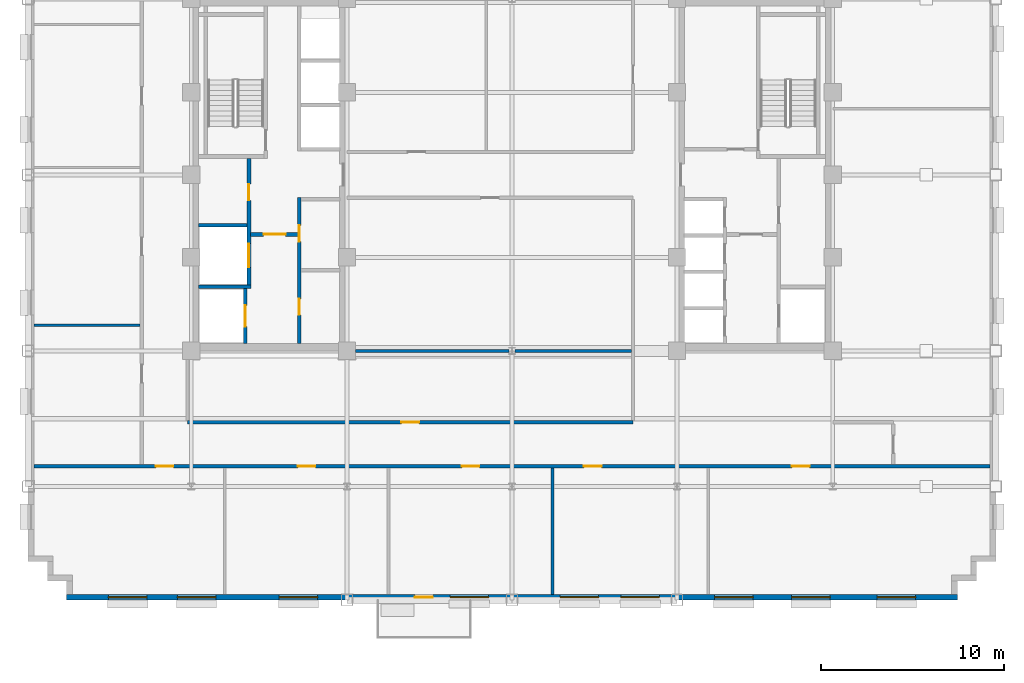
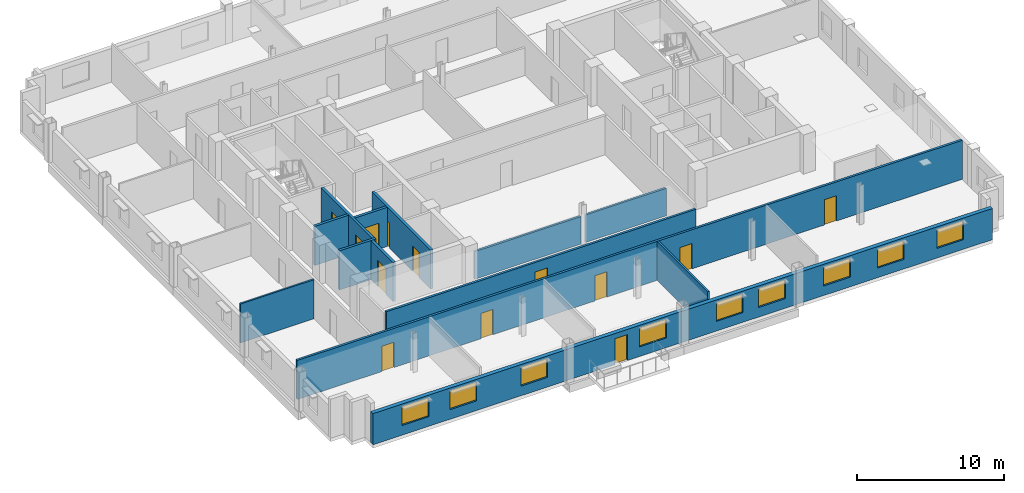
# One storey, part 6 of 14: 13 doors, 13 walls, 9 windows, 22 openings.
"""IFC4 building model written with IfcOpenShell, lengths in metres."""

from ifc_helpers import new_model, si_unit, direction, frame, frame_2d, origin, place, context, subcontext, project, spatial, rectangle, extrude, source, transform, mapped, material, layer, layer_set, type_object, type_shapes, element, fill, save


model = new_model("IFC4")

# Units and contexts
model_context = context("Model", 3, precision=1e-05, world=origin(), true_north=direction((0.0, 1.0)))
body_context = subcontext(model_context, "Body", "Model", "MODEL_VIEW")
ifc_project = project(units=[si_unit("LENGTHUNIT", "METRE"), si_unit("AREAUNIT", "SQUARE_METRE"), si_unit("VOLUMEUNIT", "CUBIC_METRE"), si_unit("PLANEANGLEUNIT", "RADIAN"), si_unit("MASSUNIT", "GRAM", prefix="KILO")], contexts=[model_context])

# Site, building, storey
site_placement = place(None, origin())
site = spatial("IfcSite", under=ifc_project, at=site_placement, CompositionType="ELEMENT")
building_placement = place(site_placement, origin())
building = spatial("IfcBuilding", under=site, at=building_placement, Name="Nuvemarco Arch Tower", CompositionType="ELEMENT")
storey_placement = place(building_placement, frame((0.0, 0.0, 164.0)))
storey = spatial("IfcBuildingStorey", under=building, at=storey_placement, Name="L43", CompositionType="ELEMENT", Elevation=164.0)

# Wall, openings, door, windows
ifc_material_1 = material(Name="Precast concrete C45/55", Category="concrete")
ifc_layer_1 = layer(ifc_material_1, 0.320068359375, Name="EW-MID-320")
ifc_layer_set_1 = layer_set([ifc_layer_1], Name="Precast concrete C45/55")
wall_type_1 = type_object("IfcWallType", Name="EW-MID-320", PredefinedType="STANDARD", material=ifc_layer_set_1)
wall_1_placement = place(storey_placement, frame((-24.300048828125, -23.0400390625, 0.0), z_axis=(0.0, 0.0, 1.0), x_axis=(1.0, 0.0, 0.0)))
wall_1 = element("IfcWall", 1, at=wall_1_placement, inside=storey, type_object=wall_type_1, Name="L43 exterior precast facade wall 1", PredefinedType="STANDARD", context=body_context, shape_type="SweptSolid", body=[
    extrude(rectangle(XDim=48.60009765625, YDim=0.320068359375, at=frame_2d((24.300048828125, 0.0))), origin(), (0.0, 0.0, 1.0), 2.5849609375),
])
opening_1_placement = place(wall_1_placement, frame((19.97998046875, 0.0, 0.0), z_axis=(0.0, 0.0, 1.0), x_axis=(-1.0, 0.0, 0.0)))
opening_1 = element("IfcOpeningElement", 2, at=opening_1_placement, cuts=wall_1, Name="Opening ED-6", PredefinedType="OPENING", context=body_context, shape_type="SweptSolid", body=[
    extrude(rectangle(XDim=0.97998046875, YDim=2.14990234375, at=frame_2d((0.489990234375, 1.074951171875))), frame((0.0, 0.169921875, 0.0), z_axis=(0.0, -1.0, 0.0), x_axis=(1.0, 0.0, 0.0)), (0.0, 0.0, 1.0), 0.340087890625),
])
opening_2_placement = place(wall_1_placement, frame((2.280029296875, 0.0, 0.800048828125)))
opening_2 = element("IfcOpeningElement", 3, at=opening_2_placement, cuts=wall_1, Name="Opening WN-5", PredefinedType="OPENING", context=body_context, shape_type="SweptSolid", body=[
    extrude(rectangle(XDim=2.10009765625, YDim=1.56005859375, at=frame_2d((1.050048828125, 0.780029296875))), frame((0.0, 0.169921875, 0.0), z_axis=(0.0, -1.0, 0.0), x_axis=(1.0, 0.0, 0.0)), (0.0, 0.0, 1.0), 0.340087890625),
])
opening_3_placement = place(wall_1_placement, frame((6.0400390625, 0.0, 0.800048828125)))
opening_3 = element("IfcOpeningElement", 4, at=opening_3_placement, cuts=wall_1, Name="Opening WN-5", PredefinedType="OPENING", context=body_context, shape_type="SweptSolid", body=[
    extrude(rectangle(XDim=2.10009765625, YDim=1.56005859375, at=frame_2d((1.050048828125, 0.780029296875))), frame((0.0, 0.169921875, 0.0), z_axis=(0.0, -1.0, 0.0), x_axis=(1.0, 0.0, 0.0)), (0.0, 0.0, 1.0), 0.340087890625),
])
opening_4_placement = place(wall_1_placement, frame((11.60009765625, 0.0, 0.800048828125)))
opening_4 = element("IfcOpeningElement", 5, at=opening_4_placement, cuts=wall_1, Name="Opening WN-5", PredefinedType="OPENING", context=body_context, shape_type="SweptSolid", body=[
    extrude(rectangle(XDim=2.10009765625, YDim=1.56005859375, at=frame_2d((1.050048828125, 0.780029296875))), frame((0.0, 0.169921875, 0.0), z_axis=(0.0, -1.0, 0.0), x_axis=(1.0, 0.0, 0.0)), (0.0, 0.0, 1.0), 0.340087890625),
])
opening_5_placement = place(wall_1_placement, frame((20.919921875, 0.0, 0.800048828125)))
opening_5 = element("IfcOpeningElement", 6, at=opening_5_placement, cuts=wall_1, Name="Opening WN-5", PredefinedType="OPENING", context=body_context, shape_type="SweptSolid", body=[
    extrude(rectangle(XDim=2.10009765625, YDim=1.56005859375, at=frame_2d((1.050048828125, 0.780029296875))), frame((0.0, 0.169921875, 0.0), z_axis=(0.0, -1.0, 0.0), x_axis=(1.0, 0.0, 0.0)), (0.0, 0.0, 1.0), 0.340087890625),
])
opening_6_placement = place(wall_1_placement, frame((26.929931640625, 0.0, 0.800048828125)))
opening_6 = element("IfcOpeningElement", 7, at=opening_6_placement, cuts=wall_1, Name="Opening WN-5", PredefinedType="OPENING", context=body_context, shape_type="SweptSolid", body=[
    extrude(rectangle(XDim=2.10009765625, YDim=1.56005859375, at=frame_2d((1.050048828125, 0.780029296875))), frame((0.0, 0.169921875, 0.0), z_axis=(0.0, -1.0, 0.0), x_axis=(1.0, 0.0, 0.0)), (0.0, 0.0, 1.0), 0.340087890625),
])
opening_7_placement = place(wall_1_placement, frame((30.239990234375, 0.0, 0.800048828125)))
opening_7 = element("IfcOpeningElement", 8, at=opening_7_placement, cuts=wall_1, Name="Opening WN-5", PredefinedType="OPENING", context=body_context, shape_type="SweptSolid", body=[
    extrude(rectangle(XDim=2.10009765625, YDim=1.56005859375, at=frame_2d((1.050048828125, 0.780029296875))), frame((0.0, 0.169921875, 0.0), z_axis=(0.0, -1.0, 0.0), x_axis=(1.0, 0.0, 0.0)), (0.0, 0.0, 1.0), 0.340087890625),
])
opening_8_placement = place(wall_1_placement, frame((35.35009765625, 0.0, 0.800048828125)))
opening_8 = element("IfcOpeningElement", 9, at=opening_8_placement, cuts=wall_1, Name="Opening WN-5", PredefinedType="OPENING", context=body_context, shape_type="SweptSolid", body=[
    extrude(rectangle(XDim=2.10009765625, YDim=1.56005859375, at=frame_2d((1.050048828125, 0.780029296875))), frame((0.0, 0.169921875, 0.0), z_axis=(0.0, -1.0, 0.0), x_axis=(1.0, 0.0, 0.0)), (0.0, 0.0, 1.0), 0.340087890625),
])
opening_9_placement = place(wall_1_placement, frame((39.56005859375, 0.0, 0.800048828125)))
opening_9 = element("IfcOpeningElement", 10, at=opening_9_placement, cuts=wall_1, Name="Opening WN-5", PredefinedType="OPENING", context=body_context, shape_type="SweptSolid", body=[
    extrude(rectangle(XDim=2.10009765625, YDim=1.56005859375, at=frame_2d((1.050048828125, 0.780029296875))), frame((0.0, 0.169921875, 0.0), z_axis=(0.0, -1.0, 0.0), x_axis=(1.0, 0.0, 0.0)), (0.0, 0.0, 1.0), 0.340087890625),
])
opening_10_placement = place(wall_1_placement, frame((44.219970703125, 0.0, 0.800048828125)))
opening_10 = element("IfcOpeningElement", 11, at=opening_10_placement, cuts=wall_1, Name="Opening WN-5", PredefinedType="OPENING", context=body_context, shape_type="SweptSolid", body=[
    extrude(rectangle(XDim=2.10009765625, YDim=1.56005859375, at=frame_2d((1.050048828125, 0.780029296875))), frame((0.0, 0.169921875, 0.0), z_axis=(0.0, -1.0, 0.0), x_axis=(1.0, 0.0, 0.0)), (0.0, 0.0, 1.0), 0.340087890625),
])
ifc_material_2 = material(Name="Anodised bronze and laminated glass", Category="glass")
door_type_1 = type_object("IfcDoorType", Name="DR-EXT-BALC", OperationType="NOTDEFINED", PredefinedType="DOOR", material=ifc_material_2)
shared_shape_1 = source(origin(), body_context, "Body", "SweptSolid", [
    extrude(rectangle(XDim=0.97998046875, YDim=2.14990234375, at=frame_2d((0.489990234375, 1.074951171875))), frame((0.0, 0.02490234375, 0.0), z_axis=(0.0, -1.0, 0.0), x_axis=(1.0, 0.0, 0.0)), (0.0, 0.0, 1.0), 0.050048828125),
])
type_shapes(door_type_1, [shared_shape_1])
door_1_placement = place(opening_1_placement, origin())
door_1 = element("IfcDoor", 12, at=door_1_placement, inside=storey, type_object=door_type_1, Name="L43 tree balcony access door", OperationType="SINGLE_SWING_RIGHT", OverallHeight=2.14990234375, OverallWidth=0.97998046875, PredefinedType="DOOR", context=body_context, shape_type="MappedRepresentation", body=[
    mapped(shared_shape_1, transform((0.0, 0.0, 0.0), scale=1.0)),
])
fill(opening_1, door_1)
ifc_material_3 = material(Name="Insulated solar-control glass", Category="glass")
window_type = type_object("IfcWindowType", Name="WN-MID-2100x1560", PartitioningType="DOUBLE_PANEL_VERTICAL", PredefinedType="WINDOW", material=ifc_material_3)
shared_shape_2 = source(origin(), body_context, "Body", "SweptSolid", [
    extrude(rectangle(XDim=2.10009765625, YDim=1.56005859375, at=frame_2d((1.050048828125, 0.780029296875))), frame((0.0, 0.030029296875, 0.0), z_axis=(0.0, -1.0, 0.0), x_axis=(1.0, 0.0, 0.0)), (0.0, 0.0, 1.0), 0.06005859375),
])
type_shapes(window_type, [shared_shape_2])
window_1_placement = place(opening_2_placement, origin())
window_1 = element("IfcWindow", 13, at=window_1_placement, inside=storey, type_object=window_type, Name="L43 punched facade window 1", OverallHeight=1.56005859375, OverallWidth=2.10009765625, PartitioningType="SINGLE_PANEL", PredefinedType="WINDOW", context=body_context, shape_type="MappedRepresentation", body=[
    mapped(shared_shape_2, transform((0.0, 0.0, 0.0), scale=1.0)),
])
fill(opening_2, window_1)
window_2_placement = place(opening_3_placement, origin())
window_2 = element("IfcWindow", 14, at=window_2_placement, inside=storey, type_object=window_type, Name="L43 punched facade window 2", OverallHeight=1.56005859375, OverallWidth=2.10009765625, PartitioningType="SINGLE_PANEL", PredefinedType="WINDOW", context=body_context, shape_type="MappedRepresentation", body=[
    mapped(shared_shape_2, transform((0.0, 0.0, 0.0), scale=1.0)),
])
fill(opening_3, window_2)
window_3_placement = place(opening_4_placement, origin())
window_3 = element("IfcWindow", 15, at=window_3_placement, inside=storey, type_object=window_type, Name="L43 punched facade window 3", OverallHeight=1.56005859375, OverallWidth=2.10009765625, PartitioningType="SINGLE_PANEL", PredefinedType="WINDOW", context=body_context, shape_type="MappedRepresentation", body=[
    mapped(shared_shape_2, transform((0.0, 0.0, 0.0), scale=1.0)),
])
fill(opening_4, window_3)
window_4_placement = place(opening_5_placement, origin())
window_4 = element("IfcWindow", 16, at=window_4_placement, inside=storey, type_object=window_type, Name="L43 punched facade window 5", OverallHeight=1.56005859375, OverallWidth=2.10009765625, PartitioningType="SINGLE_PANEL", PredefinedType="WINDOW", context=body_context, shape_type="MappedRepresentation", body=[
    mapped(shared_shape_2, transform((0.0, 0.0, 0.0), scale=1.0)),
])
fill(opening_5, window_4)
window_5_placement = place(opening_6_placement, origin())
window_5 = element("IfcWindow", 17, at=window_5_placement, inside=storey, type_object=window_type, Name="L43 punched facade window 6", OverallHeight=1.56005859375, OverallWidth=2.10009765625, PartitioningType="SINGLE_PANEL", PredefinedType="WINDOW", context=body_context, shape_type="MappedRepresentation", body=[
    mapped(shared_shape_2, transform((0.0, 0.0, 0.0), scale=1.0)),
])
fill(opening_6, window_5)
window_6_placement = place(opening_7_placement, origin())
window_6 = element("IfcWindow", 18, at=window_6_placement, inside=storey, type_object=window_type, Name="L43 punched facade window 7", OverallHeight=1.56005859375, OverallWidth=2.10009765625, PartitioningType="SINGLE_PANEL", PredefinedType="WINDOW", context=body_context, shape_type="MappedRepresentation", body=[
    mapped(shared_shape_2, transform((0.0, 0.0, 0.0), scale=1.0)),
])
fill(opening_7, window_6)
window_7_placement = place(opening_8_placement, origin())
window_7 = element("IfcWindow", 19, at=window_7_placement, inside=storey, type_object=window_type, Name="L43 punched facade window 8", OverallHeight=1.56005859375, OverallWidth=2.10009765625, PartitioningType="SINGLE_PANEL", PredefinedType="WINDOW", context=body_context, shape_type="MappedRepresentation", body=[
    mapped(shared_shape_2, transform((0.0, 0.0, 0.0), scale=1.0)),
])
fill(opening_8, window_7)
window_8_placement = place(opening_9_placement, origin())
window_8 = element("IfcWindow", 20, at=window_8_placement, inside=storey, type_object=window_type, Name="L43 punched facade window 9", OverallHeight=1.56005859375, OverallWidth=2.10009765625, PartitioningType="SINGLE_PANEL", PredefinedType="WINDOW", context=body_context, shape_type="MappedRepresentation", body=[
    mapped(shared_shape_2, transform((0.0, 0.0, 0.0), scale=1.0)),
])
fill(opening_9, window_8)
window_9_placement = place(opening_10_placement, origin())
window_9 = element("IfcWindow", 21, at=window_9_placement, inside=storey, type_object=window_type, Name="L43 punched facade window 10", OverallHeight=1.56005859375, OverallWidth=2.10009765625, PartitioningType="SINGLE_PANEL", PredefinedType="WINDOW", context=body_context, shape_type="MappedRepresentation", body=[
    mapped(shared_shape_2, transform((0.0, 0.0, 0.0), scale=1.0)),
])
fill(opening_10, window_9)

# Wall, openings, doors
ifc_material_4 = material(Name="Fire-rated gypsum drywall partition")
ifc_layer_2 = layer(ifc_material_4, 0.179931640625, Name="WL-CORR-180")
ifc_layer_set_2 = layer_set([ifc_layer_2], Name="Fire-rated gypsum drywall partition")
wall_type_2 = type_object("IfcWallType", Name="WL-CORR-180", PredefinedType="PARTITIONING", material=ifc_layer_set_2)
wall_2_placement = place(storey_placement, frame((-26.080078125, -15.89990234375, 0.0), z_axis=(0.0, 0.0, 1.0), x_axis=(1.0, 0.0, 0.0)))
wall_2 = element("IfcWall", 22, at=wall_2_placement, inside=storey, type_object=wall_type_2, Name="L43 interior wall IW-L43-001", PredefinedType="PARTITIONING", context=body_context, shape_type="SweptSolid", body=[
    extrude(rectangle(XDim=52.16015625, YDim=0.179931640625, at=frame_2d((26.080078125, 0.0))), origin(), (0.0, 0.0, 1.0), 3.239990234375),
])
opening_11_placement = place(wall_2_placement, frame((41.35009765625, 0.0, 0.0)))
opening_11 = element("IfcOpeningElement", 23, at=opening_11_placement, cuts=wall_2, Name="Opening FD-5", PredefinedType="OPENING", context=body_context, shape_type="SweptSolid", body=[
    extrude(rectangle(XDim=0.9599609375, YDim=2.10009765625, at=frame_2d((0.47998046875, 1.050048828125))), frame((0.0, 0.099853515625, 0.0), z_axis=(0.0, -1.0, 0.0), x_axis=(1.0, 0.0, 0.0)), (0.0, 0.0, 1.0), 0.199951171875),
])
opening_12_placement = place(wall_2_placement, frame((23.340087890625, 0.0, 0.0)))
opening_12 = element("IfcOpeningElement", 24, at=opening_12_placement, cuts=wall_2, Name="Opening FD-5", PredefinedType="OPENING", context=body_context, shape_type="SweptSolid", body=[
    extrude(rectangle(XDim=0.9599609375, YDim=2.10009765625, at=frame_2d((0.47998046875, 1.050048828125))), frame((0.0, 0.099853515625, 0.0), z_axis=(0.0, -1.0, 0.0), x_axis=(1.0, 0.0, 0.0)), (0.0, 0.0, 1.0), 0.199951171875),
])
opening_13_placement = place(wall_2_placement, frame((14.39990234375, 0.0, 0.0)))
opening_13 = element("IfcOpeningElement", 25, at=opening_13_placement, cuts=wall_2, Name="Opening FD-5", PredefinedType="OPENING", context=body_context, shape_type="SweptSolid", body=[
    extrude(rectangle(XDim=0.9599609375, YDim=2.10009765625, at=frame_2d((0.47998046875, 1.050048828125))), frame((0.0, 0.099853515625, 0.0), z_axis=(0.0, -1.0, 0.0), x_axis=(1.0, 0.0, 0.0)), (0.0, 0.0, 1.0), 0.199951171875),
])
opening_14_placement = place(wall_2_placement, frame((30.0048828125, 0.0, 0.0)))
opening_14 = element("IfcOpeningElement", 26, at=opening_14_placement, cuts=wall_2, Name="Opening FD-5", PredefinedType="OPENING", context=body_context, shape_type="SweptSolid", body=[
    extrude(rectangle(XDim=0.9599609375, YDim=2.10009765625, at=frame_2d((0.47998046875, 1.050048828125))), frame((0.0, 0.099853515625, 0.0), z_axis=(0.0, -1.0, 0.0), x_axis=(1.0, 0.0, 0.0)), (0.0, 0.0, 1.0), 0.199951171875),
])
opening_15_placement = place(wall_2_placement, frame((6.64990234375, 0.0, 0.0)))
opening_15 = element("IfcOpeningElement", 27, at=opening_15_placement, cuts=wall_2, Name="Opening FD-5", PredefinedType="OPENING", context=body_context, shape_type="SweptSolid", body=[
    extrude(rectangle(XDim=0.9599609375, YDim=2.10009765625, at=frame_2d((0.47998046875, 1.050048828125))), frame((0.0, 0.099853515625, 0.0), z_axis=(0.0, -1.0, 0.0), x_axis=(1.0, 0.0, 0.0)), (0.0, 0.0, 1.0), 0.199951171875),
])
ifc_material_5 = material(Name="Timber fire door", Category="wood")
door_type_2 = type_object("IfcDoorType", Name="DR-CORR-FD", OperationType="NOTDEFINED", PredefinedType="DOOR", material=ifc_material_5)
shared_shape_3 = source(origin(), body_context, "Body", "SweptSolid", [
    extrude(rectangle(XDim=0.9599609375, YDim=2.10009765625, at=frame_2d((0.47998046875, 1.050048828125))), frame((0.0, 0.02490234375, 0.0), z_axis=(0.0, -1.0, 0.0), x_axis=(1.0, 0.0, 0.0)), (0.0, 0.0, 1.0), 0.050048828125),
])
type_shapes(door_type_2, [shared_shape_3])
door_2_placement = place(opening_11_placement, origin())
door_2 = element("IfcDoor", 28, at=door_2_placement, inside=storey, type_object=door_type_2, Name="L43 door DR-L43-S_5", OperationType="SINGLE_SWING_RIGHT", OverallHeight=2.10009765625, OverallWidth=0.9599609375, PredefinedType="DOOR", context=body_context, shape_type="MappedRepresentation", body=[
    mapped(shared_shape_3, transform((0.0, 0.0, 0.0), scale=1.0)),
])
fill(opening_11, door_2)
door_3_placement = place(opening_12_placement, origin())
door_3 = element("IfcDoor", 29, at=door_3_placement, inside=storey, type_object=door_type_2, Name="L43 door DR-L43-S_3", OperationType="SINGLE_SWING_LEFT", OverallHeight=2.10009765625, OverallWidth=0.9599609375, PredefinedType="DOOR", context=body_context, shape_type="MappedRepresentation", body=[
    mapped(shared_shape_3, transform((0.0, 0.0, 0.0), scale=1.0)),
])
fill(opening_12, door_3)
door_4_placement = place(opening_13_placement, origin())
door_4 = element("IfcDoor", 30, at=door_4_placement, inside=storey, type_object=door_type_2, Name="L43 door DR-L43-S_2", OperationType="SINGLE_SWING_RIGHT", OverallHeight=2.10009765625, OverallWidth=0.9599609375, PredefinedType="DOOR", context=body_context, shape_type="MappedRepresentation", body=[
    mapped(shared_shape_3, transform((0.0, 0.0, 0.0), scale=1.0)),
])
fill(opening_13, door_4)
door_5_placement = place(opening_14_placement, origin())
door_5 = element("IfcDoor", 31, at=door_5_placement, inside=storey, type_object=door_type_2, Name="L43 door DR-L43-S_4", OperationType="SINGLE_SWING_LEFT", OverallHeight=2.10009765625, OverallWidth=0.9599609375, PredefinedType="DOOR", context=body_context, shape_type="MappedRepresentation", body=[
    mapped(shared_shape_3, transform((0.0, 0.0, 0.0), scale=1.0)),
])
fill(opening_14, door_5)
door_6_placement = place(opening_15_placement, origin())
door_6 = element("IfcDoor", 32, at=door_6_placement, inside=storey, type_object=door_type_2, Name="L43 door DR-L43-S_1", OperationType="SINGLE_SWING_RIGHT", OverallHeight=2.10009765625, OverallWidth=0.9599609375, PredefinedType="DOOR", context=body_context, shape_type="MappedRepresentation", body=[
    mapped(shared_shape_3, transform((0.0, 0.0, 0.0), scale=1.0)),
])
fill(opening_15, door_6)

# Wall, opening, door
wall_3_placement = place(storey_placement, frame((-17.699951171875, -13.5, 0.0), z_axis=(0.0, 0.0, 1.0), x_axis=(1.0, 0.0, 0.0)))
wall_3 = element("IfcWall", 33, at=wall_3_placement, inside=storey, type_object=wall_type_2, Name="L43 interior wall IW-L43-002", PredefinedType="PARTITIONING", context=body_context, shape_type="SweptSolid", body=[
    extrude(rectangle(XDim=24.300048828125, YDim=0.179931640625, at=frame_2d((12.14990234375, 0.0))), origin(), (0.0, 0.0, 1.0), 2.887939453125),
])
opening_16_placement = place(wall_3_placement, frame((11.669921875, 0.0, 0.0)))
opening_16 = element("IfcOpeningElement", 34, at=opening_16_placement, cuts=wall_3, Name="Opening FD-5", PredefinedType="OPENING", context=body_context, shape_type="SweptSolid", body=[
    extrude(rectangle(XDim=0.9599609375, YDim=2.10009765625, at=frame_2d((0.47998046875, 1.050048828125))), frame((0.0, 0.099853515625, 0.0), z_axis=(0.0, -1.0, 0.0), x_axis=(1.0, 0.0, 0.0)), (0.0, 0.0, 1.0), 0.199951171875),
])
door_7_placement = place(opening_16_placement, origin())
door_7 = element("IfcDoor", 35, at=door_7_placement, inside=storey, type_object=door_type_2, Name="L43 door DR-L43-IN_S1", OperationType="SINGLE_SWING_LEFT", OverallHeight=2.10009765625, OverallWidth=0.9599609375, PredefinedType="DOOR", context=body_context, shape_type="MappedRepresentation", body=[
    mapped(shared_shape_3, transform((0.0, 0.0, 0.0), scale=1.0)),
])
fill(opening_16, door_7)

# Walls
ifc_material_6 = material(Name="Gypsum plasterboard partition")
ifc_layer_3 = layer(ifc_material_6, 0.139892578125, Name="WL-ROOM-140")
ifc_layer_set_3 = layer_set([ifc_layer_3], Name="Gypsum plasterboard partition")
wall_type_3 = type_object("IfcWallType", Name="WL-ROOM-140", PredefinedType="PARTITIONING", material=ifc_layer_set_3)
wall_4_placement = place(storey_placement, frame((-26.080078125, -8.199951171875, 0.0), z_axis=(0.0, 0.0, 1.0), x_axis=(1.0, 0.0, 0.0)))
element("IfcWall", 36, at=wall_4_placement, inside=storey, type_object=wall_type_3, Name="L43 interior wall IW-L43-006", PredefinedType="PARTITIONING", context=body_context, shape_type="SweptSolid", body=[
    extrude(rectangle(XDim=5.794189453125, YDim=0.139892578125, at=frame_2d((2.89697265625, 0.0))), origin(), (0.0, 0.0, 1.0), 3.239990234375),
])
wall_5_placement = place(storey_placement, frame((2.2099609375, -22.8798828125, 0.0), z_axis=(0.0, 0.0, 1.0), x_axis=(0.0, 1.0, 0.0)))
element("IfcWall", 37, at=wall_5_placement, inside=storey, type_object=wall_type_3, Name="L43 interior wall IW-L43-029", PredefinedType="PARTITIONING", context=body_context, shape_type="SweptSolid", body=[
    extrude(rectangle(XDim=6.893798828125, YDim=0.139892578125, at=frame_2d((3.44677734375, 0.0))), origin(), (0.0, 0.0, 1.0), 3.239990234375),
])

# Wall, opening, door
ifc_material_7 = material(Name="Concrete C50/60", Category="concrete")
ifc_layer_4 = layer(ifc_material_7, 0.199951171875, Name="WL-SHAFT-220")
ifc_layer_set_4 = layer_set([ifc_layer_4], Name="Concrete C50/60")
wall_type_4 = type_object("IfcWallType", Name="WL-SHAFT-220", PredefinedType="SHEAR", material=ifc_layer_set_4)
wall_6_placement = place(storey_placement, frame((-14.550048828125, -9.205078125, 0.0), z_axis=(0.0, 0.0, 1.0), x_axis=(0.0, 1.0, 0.0)))
wall_6 = element("IfcWall", 38, at=wall_6_placement, inside=storey, type_object=wall_type_4, Name="L43 structural shaft wall SW-L43-W-SHE", PredefinedType="SHEAR", context=body_context, shape_type="SweptSolid", body=[
    extrude(rectangle(XDim=3.010009765625, YDim=0.199951171875, at=frame_2d((1.5048828125, 0.0))), origin(), (0.0, 0.0, 1.0), 3.25),
])
opening_17_placement = place(wall_6_placement, frame((0.929931640625, 0.0, 0.0)))
opening_17 = element("IfcOpeningElement", 39, at=opening_17_placement, cuts=wall_6, Name="Opening LD-2", PredefinedType="OPENING", context=body_context, shape_type="SweptSolid", body=[
    extrude(rectangle(XDim=1.14990234375, YDim=2.14990234375, at=frame_2d((0.574951171875, 1.074951171875))), frame((0.0, 0.10986328125, 0.0), z_axis=(0.0, -1.0, 0.0), x_axis=(1.0, 0.0, 0.0)), (0.0, 0.0, 1.0), 0.219970703125),
])
ifc_material_8 = material(Name="Stainless steel lift door", Category="steel")
door_type_3 = type_object("IfcDoorType", Name="DR-LIFT-FIRE", OperationType="DOUBLE_DOOR_SLIDING", PredefinedType="DOOR", material=ifc_material_8)
shared_shape_4 = source(origin(), body_context, "Body", "SweptSolid", [
    extrude(rectangle(XDim=1.14990234375, YDim=2.14990234375, at=frame_2d((0.574951171875, 1.074951171875))), frame((0.0, 0.02490234375, 0.0), z_axis=(0.0, -1.0, 0.0), x_axis=(1.0, 0.0, 0.0)), (0.0, 0.0, 1.0), 0.050048828125),
])
type_shapes(door_type_3, [shared_shape_4])
door_8_placement = place(opening_17_placement, origin())
door_8 = element("IfcDoor", 40, at=door_8_placement, inside=storey, type_object=door_type_3, Name="L43 Lift landing sliding door FFL-1", OperationType="DOUBLE_DOOR_SLIDING", OverallHeight=2.14990234375, OverallWidth=1.14990234375, PredefinedType="DOOR", context=body_context, shape_type="MappedRepresentation", body=[
    mapped(shared_shape_4, transform((0.0, 0.0, 0.0), scale=1.0)),
])
fill(opening_17, door_8)

# Wall, openings, doors
wall_7_placement = place(storey_placement, frame((-14.35009765625, -6.199951171875, 0.0), z_axis=(0.0, 0.0, 1.0), x_axis=(0.0, 1.0, 0.0)))
wall_7 = element("IfcWall", 41, at=wall_7_placement, inside=storey, type_object=wall_type_4, Name="L43 structural shaft wall SW-L43-W-SVE", PredefinedType="SHEAR", context=body_context, shape_type="SweptSolid", body=[
    extrude(rectangle(XDim=7.10498046875, YDim=0.199951171875, at=frame_2d((3.552490234375, 0.0))), origin(), (0.0, 0.0, 1.0), 3.25),
])
opening_18_placement = place(wall_7_placement, frame((5.68994140625, 0.0, 0.0), z_axis=(0.0, 0.0, 1.0), x_axis=(-1.0, 0.0, 0.0)))
opening_18 = element("IfcOpeningElement", 42, at=opening_18_placement, cuts=wall_7, Name="Opening FD-4", PredefinedType="OPENING", context=body_context, shape_type="SweptSolid", body=[
    extrude(rectangle(XDim=0.8798828125, YDim=2.10009765625, at=frame_2d((0.43994140625, 1.050048828125))), frame((0.0, 0.10986328125, 0.0), z_axis=(0.0, -1.0, 0.0), x_axis=(1.0, 0.0, 0.0)), (0.0, 0.0, 1.0), 0.219970703125),
])
opening_19_placement = place(wall_7_placement, frame((1.14990234375, 0.0, 0.0)))
opening_19 = element("IfcOpeningElement", 43, at=opening_19_placement, cuts=wall_7, Name="Opening LD-3", PredefinedType="OPENING", context=body_context, shape_type="SweptSolid", body=[
    extrude(rectangle(XDim=1.300048828125, YDim=2.199951171875, at=frame_2d((0.64990234375, 1.10009765625))), frame((0.0, 0.10986328125, 0.0), z_axis=(0.0, -1.0, 0.0), x_axis=(1.0, 0.0, 0.0)), (0.0, 0.0, 1.0), 0.219970703125),
])
ifc_material_9 = material(Name="Anodised steel fire door", Category="steel")
door_type_4 = type_object("IfcDoorType", Name="DR-RISER-FD", OperationType="NOTDEFINED", PredefinedType="DOOR", material=ifc_material_9)
shared_shape_5 = source(origin(), body_context, "Body", "SweptSolid", [
    extrude(rectangle(XDim=0.8798828125, YDim=2.10009765625, at=frame_2d((0.43994140625, 1.050048828125))), frame((0.0, 0.02490234375, 0.0), z_axis=(0.0, -1.0, 0.0), x_axis=(1.0, 0.0, 0.0)), (0.0, 0.0, 1.0), 0.050048828125),
])
type_shapes(door_type_4, [shared_shape_5])
door_9_placement = place(opening_18_placement, origin())
door_9 = element("IfcDoor", 44, at=door_9_placement, inside=storey, type_object=door_type_4, Name="L43 door FD-L43-WRIS", OperationType="SINGLE_SWING_RIGHT", OverallHeight=2.10009765625, OverallWidth=0.8798828125, PredefinedType="DOOR", context=body_context, shape_type="MappedRepresentation", body=[
    mapped(shared_shape_5, transform((0.0, 0.0, 0.0), scale=1.0)),
])
fill(opening_18, door_9)
door_type_5 = type_object("IfcDoorType", Name="DR-LIFT-SERV", OperationType="DOUBLE_DOOR_SLIDING", PredefinedType="DOOR", material=ifc_material_8)
shared_shape_6 = source(origin(), body_context, "Body", "SweptSolid", [
    extrude(rectangle(XDim=1.300048828125, YDim=2.199951171875, at=frame_2d((0.64990234375, 1.10009765625))), frame((0.0, 0.02490234375, 0.0), z_axis=(0.0, -1.0, 0.0), x_axis=(1.0, 0.0, 0.0)), (0.0, 0.0, 1.0), 0.050048828125),
])
type_shapes(door_type_5, [shared_shape_6])
door_10_placement = place(opening_19_placement, origin())
door_10 = element("IfcDoor", 45, at=door_10_placement, inside=storey, type_object=door_type_5, Name="L43 Lift landing sliding door SVL-1", OperationType="DOUBLE_DOOR_SLIDING", OverallHeight=2.199951171875, OverallWidth=1.300048828125, PredefinedType="DOOR", context=body_context, shape_type="MappedRepresentation", body=[
    mapped(shared_shape_6, transform((0.0, 0.0, 0.0), scale=1.0)),
])
fill(opening_19, door_10)

# Walls
wall_8_placement = place(storey_placement, frame((-17.10498046875, -6.10009765625, 0.0), z_axis=(0.0, 0.0, 1.0), x_axis=(1.0, 0.0, 0.0)))
element("IfcWall", 46, at=wall_8_placement, inside=storey, type_object=wall_type_4, Name="L43 structural shaft wall SW-L43-W-SH1", PredefinedType="SHEAR", context=body_context, shape_type="SweptSolid", body=[
    extrude(rectangle(XDim=2.85498046875, YDim=0.199951171875, at=frame_2d((1.427490234375, 0.0))), origin(), (0.0, 0.0, 1.0), 3.25),
])
wall_9_placement = place(storey_placement, frame((-17.10498046875, -2.75, 0.0), z_axis=(0.0, 0.0, 1.0), x_axis=(1.0, 0.0, 0.0)))
element("IfcWall", 47, at=wall_9_placement, inside=storey, type_object=wall_type_4, Name="L43 structural shaft wall SW-L43-W-SH2", PredefinedType="SHEAR", context=body_context, shape_type="SweptSolid", body=[
    extrude(rectangle(XDim=2.659912109375, YDim=0.199951171875, at=frame_2d((1.330078125, 0.0))), origin(), (0.0, 0.0, 1.0), 3.25),
])

# Wall, openings, doors
wall_10_placement = place(storey_placement, frame((-11.60009765625, -9.205078125, 0.0), z_axis=(0.0, 0.0, 1.0), x_axis=(0.0, 1.0, 0.0)))
wall_10 = element("IfcWall", 48, at=wall_10_placement, inside=storey, type_object=wall_type_4, Name="L43 structural shaft wall SW-L43-W-PLW", PredefinedType="SHEAR", context=body_context, shape_type="SweptSolid", body=[
    extrude(rectangle(XDim=7.97509765625, YDim=0.199951171875, at=frame_2d((3.987548828125, 0.0))), origin(), (0.0, 0.0, 1.0), 3.25),
])
opening_20_placement = place(wall_10_placement, frame((1.56494140625, 0.0, 0.0)))
opening_20 = element("IfcOpeningElement", 49, at=opening_20_placement, cuts=wall_10, Name="Opening FD-4", PredefinedType="OPENING", context=body_context, shape_type="SweptSolid", body=[
    extrude(rectangle(XDim=0.8798828125, YDim=2.10009765625, at=frame_2d((0.43994140625, 1.050048828125))), frame((0.0, 0.10986328125, 0.0), z_axis=(0.0, -1.0, 0.0), x_axis=(1.0, 0.0, 0.0)), (0.0, 0.0, 1.0), 0.219970703125),
])
opening_21_placement = place(wall_10_placement, frame((5.56494140625, 0.0, 0.0)))
opening_21 = element("IfcOpeningElement", 50, at=opening_21_placement, cuts=wall_10, Name="Opening FD-4", PredefinedType="OPENING", context=body_context, shape_type="SweptSolid", body=[
    extrude(rectangle(XDim=0.8798828125, YDim=2.10009765625, at=frame_2d((0.43994140625, 1.050048828125))), frame((0.0, 0.10986328125, 0.0), z_axis=(0.0, -1.0, 0.0), x_axis=(1.0, 0.0, 0.0)), (0.0, 0.0, 1.0), 0.219970703125),
])
door_11_placement = place(opening_20_placement, origin())
door_11 = element("IfcDoor", 51, at=door_11_placement, inside=storey, type_object=door_type_4, Name="L43 door FD-L43-WREC1", OperationType="SINGLE_SWING_RIGHT", OverallHeight=2.10009765625, OverallWidth=0.8798828125, PredefinedType="DOOR", context=body_context, shape_type="MappedRepresentation", body=[
    mapped(shared_shape_5, transform((0.0, 0.0, 0.0), scale=1.0)),
])
fill(opening_20, door_11)
door_12_placement = place(opening_21_placement, origin())
door_12 = element("IfcDoor", 52, at=door_12_placement, inside=storey, type_object=door_type_4, Name="L43 door FD-L43-WREC2", OperationType="SINGLE_SWING_LEFT", OverallHeight=2.10009765625, OverallWidth=0.8798828125, PredefinedType="DOOR", context=body_context, shape_type="MappedRepresentation", body=[
    mapped(shared_shape_5, transform((0.0, 0.0, 0.0), scale=1.0)),
])
fill(opening_21, door_12)

# Wall, opening, door
wall_11_placement = place(storey_placement, frame((-14.2548828125, -3.25, 0.0), z_axis=(0.0, 0.0, 1.0), x_axis=(1.0, 0.0, 0.0)))
wall_11 = element("IfcWall", 53, at=wall_11_placement, inside=storey, type_object=wall_type_4, Name="L43 structural shaft wall SW-L43-W-FFN", PredefinedType="SHEAR", context=body_context, shape_type="SweptSolid", body=[
    extrude(rectangle(XDim=2.559814453125, YDim=0.199951171875, at=frame_2d((1.27978515625, 0.0))), origin(), (0.0, 0.0, 1.0), 3.25),
])
opening_22_placement = place(wall_11_placement, frame((0.705078125, 0.0, 0.0)))
opening_22 = element("IfcOpeningElement", 54, at=opening_22_placement, cuts=wall_11, Name="Opening FD-2", PredefinedType="OPENING", context=body_context, shape_type="SweptSolid", body=[
    extrude(rectangle(XDim=1.199951171875, YDim=2.14990234375, at=frame_2d((0.60009765625, 1.074951171875))), frame((0.0, 0.10986328125, 0.0), z_axis=(0.0, -1.0, 0.0), x_axis=(1.0, 0.0, 0.0)), (0.0, 0.0, 1.0), 0.219970703125),
])
door_type_6 = type_object("IfcDoorType", Name="DR-FFLOB-FD", OperationType="NOTDEFINED", PredefinedType="DOOR", material=ifc_material_9)
shared_shape_7 = source(origin(), body_context, "Body", "SweptSolid", [
    extrude(rectangle(XDim=1.199951171875, YDim=2.14990234375, at=frame_2d((0.60009765625, 1.074951171875))), frame((0.0, 0.02490234375, 0.0), z_axis=(0.0, -1.0, 0.0), x_axis=(1.0, 0.0, 0.0)), (0.0, 0.0, 1.0), 0.050048828125),
])
type_shapes(door_type_6, [shared_shape_7])
door_13_placement = place(opening_22_placement, origin())
door_13 = element("IfcDoor", 55, at=door_13_placement, inside=storey, type_object=door_type_6, Name="L43 door FD-L43-WFF1", OperationType="SINGLE_SWING_RIGHT", OverallHeight=2.14990234375, OverallWidth=1.199951171875, PredefinedType="DOOR", context=body_context, shape_type="MappedRepresentation", body=[
    mapped(shared_shape_7, transform((0.0, 0.0, 0.0), scale=1.0)),
])
fill(opening_22, door_13)

# Walls
ifc_material_10 = material(Name="Acoustic gypsum drywall partition")
ifc_layer_5 = layer(ifc_material_10, 0.159912109375, Name="WL-TENANT-160")
ifc_layer_set_5 = layer_set([ifc_layer_5], Name="Acoustic gypsum drywall partition")
wall_type_5 = type_object("IfcWallType", Name="WL-TENANT-160", PredefinedType="PARTITIONING", material=ifc_layer_set_5)
wall_12_placement = place(storey_placement, frame((-8.529052734375, -9.60009765625, 0.0), z_axis=(0.0, 0.0, 1.0), x_axis=(1.0, 0.0, 0.0)))
element("IfcWall", 56, at=wall_12_placement, inside=storey, type_object=wall_type_5, Name="L43 interior wall IW-L43-004", PredefinedType="PARTITIONING", context=body_context, shape_type="SweptSolid", body=[
    extrude(rectangle(XDim=8.35302734375, YDim=0.159912109375, at=frame_2d((4.176513671875, 0.0))), origin(), (0.0, 0.0, 1.0), 2.284912109375),
])
wall_13_placement = place(storey_placement, frame((0.176025390625, -9.60009765625, 0.0), z_axis=(0.0, 0.0, 1.0), x_axis=(1.0, 0.0, 0.0)))
element("IfcWall", 57, at=wall_13_placement, inside=storey, type_object=wall_type_5, Name="L43 interior wall IW-L43-005", PredefinedType="PARTITIONING", context=body_context, shape_type="SweptSolid", body=[
    extrude(rectangle(XDim=6.337890625, YDim=0.159912109375, at=frame_2d((3.1689453125, 0.0))), origin(), (0.0, 0.0, 1.0), 2.284912109375),
])

save(model, "model.ifc")
